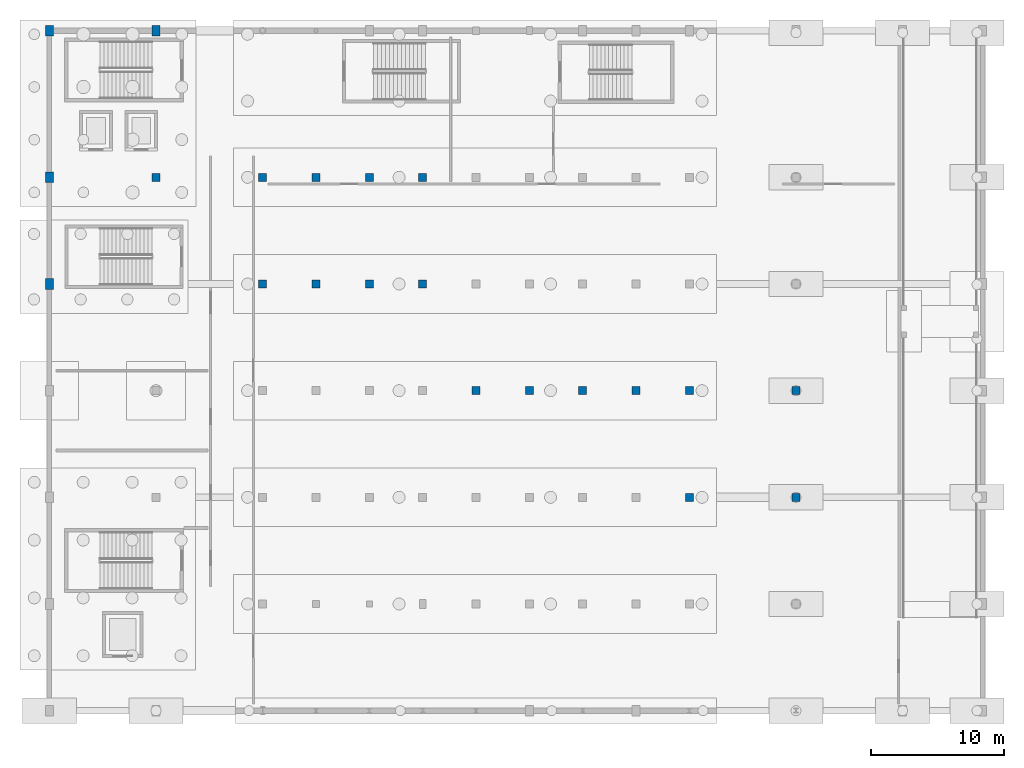
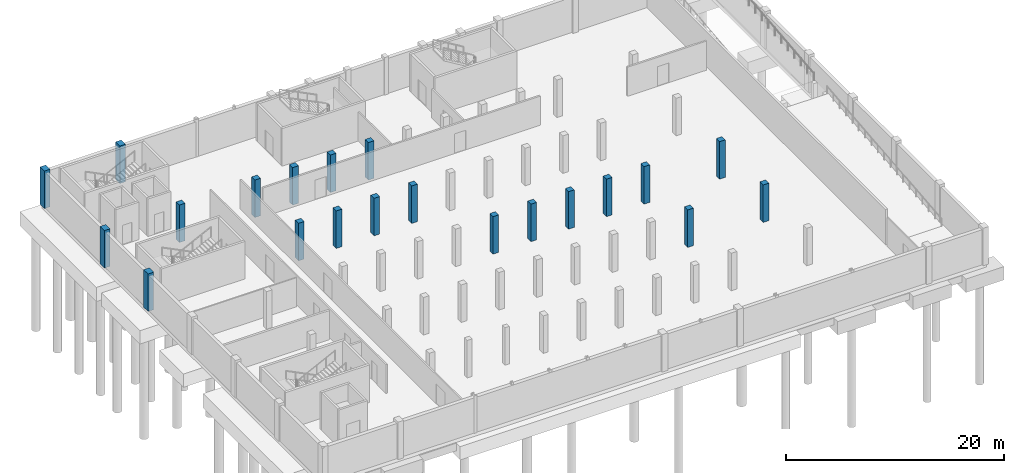
# One storey, part 5 of 15: 21 columns.
"""IFC4 building model written with IfcOpenShell, lengths in metres."""

from ifc_helpers import new_model, si_unit, derived_unit, direction, frame, origin, origin_2d, place, context, subcontext, project, spatial, rectangle, extrude, material, material_profile, profile_set, type_object, element, save


model = new_model("IFC4")

# Units and contexts
model_context = context("Model", 3, precision=1e-05, world=origin(), true_north=direction((0.0, 1.0)))
body_context = subcontext(model_context, "Body", "Model", "MODEL_VIEW")
ifc_project = project(units=[si_unit("LENGTHUNIT", "METRE"), si_unit("AREAUNIT", "SQUARE_METRE"), si_unit("VOLUMEUNIT", "CUBIC_METRE"), si_unit("PLANEANGLEUNIT", "RADIAN"), si_unit("MASSUNIT", "GRAM", prefix="KILO"), derived_unit("THERMALTRANSMITTANCEUNIT", [(si_unit("POWERUNIT", "WATT"), 1), (si_unit("LENGTHUNIT", "METRE"), -2), (si_unit("THERMODYNAMICTEMPERATUREUNIT", "KELVIN"), -1)])], contexts=[model_context])

# Site, building, storey
site_placement = place(None, origin())
site = spatial("IfcSite", under=ifc_project, at=site_placement, CompositionType="ELEMENT")
building_placement = place(site_placement, origin())
building = spatial("IfcBuilding", under=site, at=building_placement, Name="Keldorne Ridge Multi-Sports Centre", CompositionType="ELEMENT")
storey_placement = place(building_placement, frame((0.0, 0.0, -4.199951171875)))
storey = spatial("IfcBuildingStorey", under=building, at=storey_placement, Name="B01", CompositionType="ELEMENT", Elevation=-4.199951171875)

# Columns
ifc_material = material(Name="Concrete C40/50", Category="concrete")
ifc_material_profile_1 = material_profile(ifc_material, rectangle(XDim=0.60009765625, YDim=0.60009765625, at=origin_2d()), Name="RC 600x600")
ifc_profile_set_1 = profile_set([ifc_material_profile_1], Name="Concrete C40/50")
column_type_1 = type_object("IfcColumnType", Name="COL-C-20", PredefinedType="COLUMN", material=ifc_profile_set_1)
for number, where, z_axis, x_axis, name in (
    (1, (112.0, 106.0, 0.0), (0.0, 0.0, 1.0), (1.0, 0.0, 0.0), "Structural column V5-C-02-06 on B01"),
    (2, (120.0, 98.0, 0.0), (0.0, 0.0, 1.0), (1.0, 0.0, 0.0), "Structural column V5-C-03-05 on B01"),
    (3, (120.0, 106.0, 0.0), (0.0, 0.0, 1.0), (1.0, 0.0, 0.0), "Structural column V5-C-03-06 on B01"),
    (4, (124.0, 98.0, 0.0), (0.0, 0.0, 1.0), (1.0, 0.0, 0.0), "Structural column V5-C-04-05 on B01"),
    (5, (124.0, 106.0, 0.0), (0.0, 0.0, 1.0), (1.0, 0.0, 0.0), "Structural column V5-C-04-06 on B01"),
    (6, (128.0, 98.0, 0.0), (0.0, 0.0, 1.0), (1.0, 0.0, 0.0), "Structural column V5-C-05-05 on B01"),
    (7, (128.0, 106.0, 0.0), (0.0, 0.0, 1.0), (1.0, 0.0, 0.0), "Structural column V5-C-05-06 on B01"),
    (8, (132.0, 98.0, 0.0), (0.0, 0.0, 1.0), (1.0, 0.0, 0.0), "Structural column V5-C-06-05 on B01"),
    (9, (132.0, 106.0, 0.0), (0.0, 0.0, 1.0), (1.0, 0.0, 0.0), "Structural column V5-C-06-06 on B01"),
    (10, (136.0, 90.0, 0.0), (0.0, 0.0, 1.0), (1.0, 0.0, 0.0), "Structural column V5-C-07-04 on B01"),
    (11, (140.0, 90.0, 0.0), (0.0, 0.0, 1.0), (1.0, 0.0, 0.0), "Structural column V5-C-08-04 on B01"),
    (12, (144.0, 90.0, 0.0), (0.0, 0.0, 1.0), (1.0, 0.0, 0.0), "Structural column V5-C-09-04 on B01"),
    (13, (148.0, 90.0, 0.0), (0.0, 0.0, 1.0), (1.0, 0.0, 0.0), "Structural column V5-C-10-04 on B01"),
    (14, (152.0, 82.0, 0.0), (0.0, 0.0, 1.0), (1.0, 0.0, 0.0), "Structural column V5-C-11-03 on B01"),
    (15, (152.0, 90.0, 0.0), (0.0, 0.0, 1.0), (1.0, 0.0, 0.0), "Structural column V5-C-11-04 on B01"),
    (16, (160.0, 82.0, 0.0), (0.0, 0.0, 1.0), (1.0, 0.0, 0.0), "Structural column V5-C-12-03 on B01"),
    (17, (160.0, 90.0, 0.0), (0.0, 0.0, 1.0), (1.0, 0.0, 0.0), "Structural column V5-C-12-04 on B01"),
):
    element("IfcColumn", number, at=place(storey_placement, frame(where, z_axis=z_axis, x_axis=x_axis)), inside=storey, type_object=column_type_1, Name=name, PredefinedType="COLUMN", context=body_context, shape_type="SweptSolid", body=[
        extrude(rectangle(XDim=0.60009765625, YDim=0.60009765625, at=origin_2d()), origin(), (0.0, 0.0, 1.0), 4.199951171875),
    ])
ifc_material_profile_2 = material_profile(ifc_material, rectangle(XDim=0.60009765625, YDim=0.800048828125, at=origin_2d()), Name="RC 600x800")
ifc_profile_set_2 = profile_set([ifc_material_profile_2], Name="Concrete C40/50")
column_type_2 = type_object("IfcColumnType", Name="COL-C-23", PredefinedType="COLUMN", material=ifc_profile_set_2)
for number, where, z_axis, x_axis, name in (
    (18, (104.0, 98.0, 0.0), (0.0, 0.0, 1.0), (1.0, 0.0, 0.0), "Structural column V5-C-01-05 on B01"),
    (19, (104.0, 106.0, 0.0), (0.0, 0.0, 1.0), (1.0, 0.0, 0.0), "Structural column V5-C-01-06 on B01"),
    (20, (104.0, 117.0, 0.0), (0.0, 0.0, 1.0), (1.0, 0.0, 0.0), "Structural column V5-C-01-07 on B01"),
    (21, (112.0, 117.0, 0.0), (0.0, 0.0, 1.0), (1.0, 0.0, 0.0), "Structural column V5-C-02-07 on B01"),
):
    element("IfcColumn", number, at=place(storey_placement, frame(where, z_axis=z_axis, x_axis=x_axis)), inside=storey, type_object=column_type_2, Name=name, PredefinedType="COLUMN", context=body_context, shape_type="SweptSolid", body=[
        extrude(rectangle(XDim=0.60009765625, YDim=0.800048828125, at=origin_2d()), origin(), (0.0, 0.0, 1.0), 4.199951171875),
    ])

save(model, "model.ifc")
